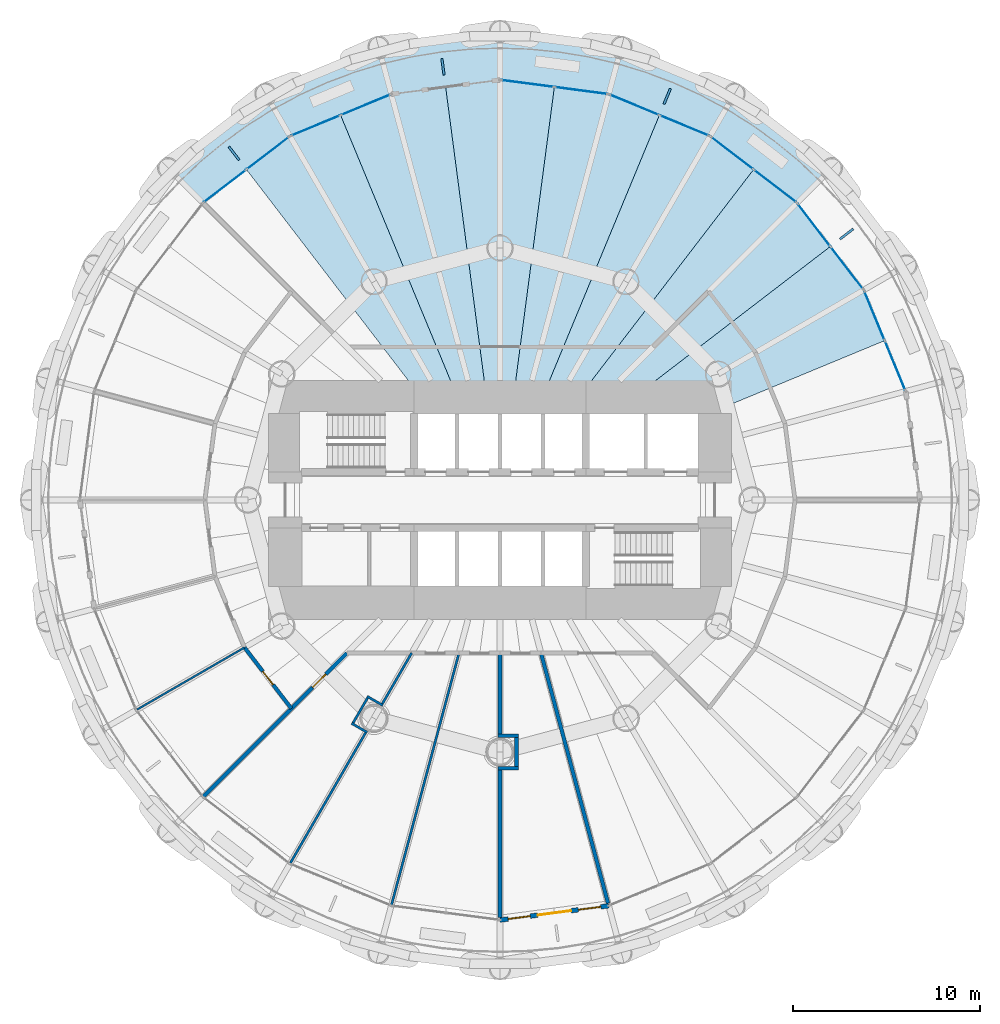
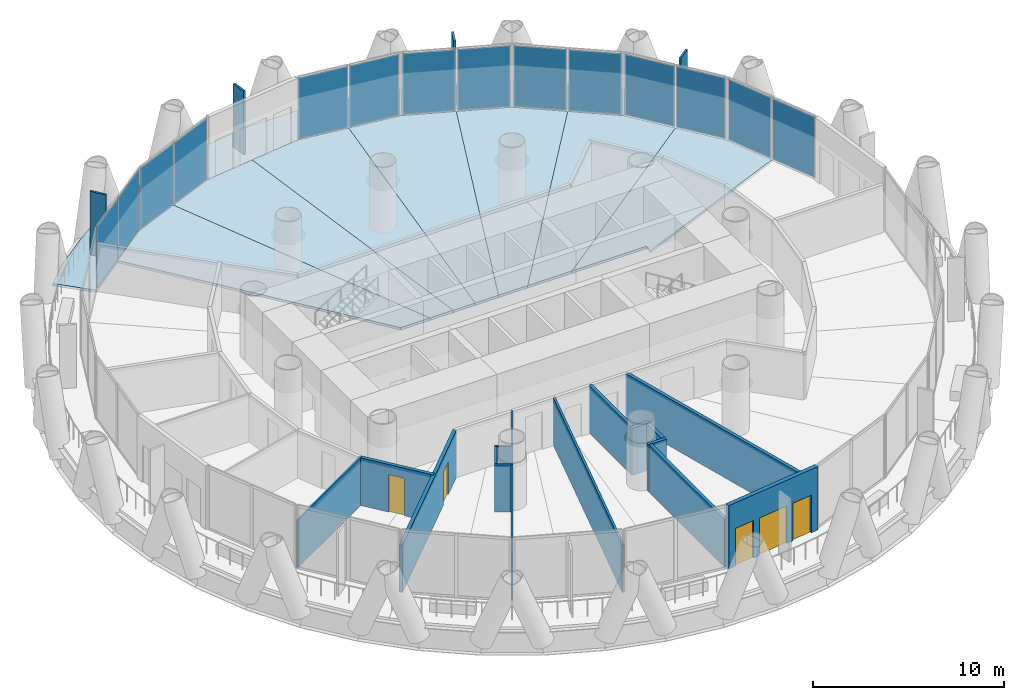
# One storey, part 9 of 16: 18 plates, 16 walls, 8 slabs, 3 doors, 2 windows, 5 openings, 7 elements without a shape of their own.
"""IFC4 building model written with IfcOpenShell, lengths in metres."""

from ifc_helpers import new_model, si_unit, direction, frame, frame_2d, origin, origin_2d, place, context, subcontext, project, spatial, polyline, rectangle, outline, extrude, material, layer, layer_set, type_object, element, fill, aggregate, save


model = new_model("IFC4")

# Units and contexts
model_context = context("Model", 3, precision=1e-05, world=origin(), true_north=direction((0.0, 1.0)))
body_context = subcontext(model_context, "Body", "Model", "MODEL_VIEW")
ifc_project = project(units=[si_unit("LENGTHUNIT", "METRE"), si_unit("AREAUNIT", "SQUARE_METRE"), si_unit("VOLUMEUNIT", "CUBIC_METRE"), si_unit("PLANEANGLEUNIT", "RADIAN"), si_unit("MASSUNIT", "GRAM", prefix="KILO")], contexts=[model_context])

# Site, building, storey
site_placement = place(None, origin())
site = spatial("IfcSite", under=ifc_project, at=site_placement, CompositionType="ELEMENT")
building_placement = place(site_placement, origin())
building = spatial("IfcBuilding", under=site, at=building_placement, Name="Qaws Media Tower", CompositionType="ELEMENT")
storey_placement = place(building_placement, frame((0.0, 0.0, 55.39990234375)))
storey = spatial("IfcBuildingStorey", under=building, at=storey_placement, Name="L11", CompositionType="ELEMENT", Elevation=55.39990234375)

# Slabs
ifc_material_1 = material(Name="Concrete C35/45", Category="concrete")
ifc_layer_1 = layer(ifc_material_1, 0.159912109375)
ifc_layer_set_1 = layer_set([ifc_layer_1], Name="Composite balcony slab 160")
slab_type_1 = type_object("IfcSlabType", Name="Composite balcony slab 160", PredefinedType="FLOOR", material=ifc_layer_set_1)
slab_1_placement = place(storey_placement, frame((0.0, 0.0, -0.159912109375)))
element("IfcSlab", 1, at=slab_1_placement, inside=storey, type_object=slab_type_1, Name="S2 balcony slab L11 R04 to R10, movement joints on R04 and R10", PredefinedType="FLOOR", context=body_context, shape_type="SweptSolid", body=[
    extrude(outline(polyline([(43.582275390625, 68.720703125), (46.166259765625, 70.70361328125), (48.987060546875, 72.33203125), (51.99609375, 73.57861328125), (55.142333984375, 74.421630859375), (58.37158203125, 74.8466796875), (61.62841796875, 74.8466796875), (64.857666015625, 74.421630859375), (68.00390625, 73.57861328125), (71.012939453125, 72.33203125), (73.833740234375, 70.70361328125), (76.417724609375, 68.720703125), (77.5693359375, 67.5693359375), (75.909912109375, 65.909912109375), (71.25, 69.485595703125), (65.823486328125, 71.7333984375), (60.0, 72.5), (54.176513671875, 71.7333984375), (48.75, 69.485595703125), (44.090087890625, 65.909912109375), (42.4306640625, 67.5693359375), (43.582275390625, 68.720703125)])), origin(), (0.0, 0.0, 1.0), 0.159912109375),
])
ifc_material_2 = material(Name="Concrete C35/45", Category="concrete")
ifc_layer_2 = layer(ifc_material_2, 0.159912109375)
ifc_layer_set_2 = layer_set([ifc_layer_2], Name="Composite floor slab 160")
slab_type_2 = type_object("IfcSlabType", Name="Composite floor slab 160", PredefinedType="FLOOR", material=ifc_layer_set_2)
slab_2_placement = place(storey_placement, frame((0.0, 0.0, -0.159912109375)))
element("IfcSlab", 2, at=slab_2_placement, inside=storey, type_object=slab_type_2, Name="S1 floor panel L11 on R03", PredefinedType="FLOOR", context=body_context, shape_type="SweptSolid", body=[
    extrude(outline(polyline([(79.485595703125, 61.25), (80.609619140625, 58.53662109375), (71.0, 54.556396484375), (71.0, 55.0), (66.51611328125, 55.0), (77.69775390625, 63.580078125), (79.485595703125, 61.25)])), origin(), (0.0, 0.0, 1.0), 0.159912109375),
])
slab_3_placement = place(storey_placement, frame((0.0, 0.0, -0.159912109375)))
element("IfcSlab", 3, at=slab_3_placement, inside=storey, type_object=slab_type_2, Name="S1 floor panel L11 on R04", PredefinedType="FLOOR", context=body_context, shape_type="SweptSolid", body=[
    extrude(outline(polyline([(75.909912109375, 65.909912109375), (77.69775390625, 63.580078125), (66.51611328125, 55.0), (63.836669921875, 55.0), (73.580078125, 67.69775390625), (75.909912109375, 65.909912109375)])), origin(), (0.0, 0.0, 1.0), 0.159912109375),
])
slab_4_placement = place(storey_placement, frame((0.0, 0.0, -0.159912109375)))
element("IfcSlab", 4, at=slab_4_placement, inside=storey, type_object=slab_type_2, Name="S1 floor panel L11 on R05", PredefinedType="FLOOR", context=body_context, shape_type="SweptSolid", body=[
    extrude(outline(polyline([(71.25, 69.485595703125), (73.580078125, 67.69775390625), (63.836669921875, 55.0), (62.071044921875, 55.0), (68.53662109375, 70.609619140625), (71.25, 69.485595703125)])), origin(), (0.0, 0.0, 1.0), 0.159912109375),
])
slab_5_placement = place(storey_placement, frame((0.0, 0.0, -0.159912109375)))
element("IfcSlab", 5, at=slab_5_placement, inside=storey, type_object=slab_type_2, Name="S1 floor panel L11 on R06", PredefinedType="FLOOR", context=body_context, shape_type="SweptSolid", body=[
    extrude(outline(polyline([(65.823486328125, 71.7333984375), (68.53662109375, 70.609619140625), (62.071044921875, 55.0), (60.658203125, 55.0), (62.91162109375, 72.11669921875), (65.823486328125, 71.7333984375)])), origin(), (0.0, 0.0, 1.0), 0.159912109375),
])
slab_6_placement = place(storey_placement, frame((0.0, 0.0, -0.159912109375)))
element("IfcSlab", 6, at=slab_6_placement, inside=storey, type_object=slab_type_2, Name="S1 floor panel L11 on R07", PredefinedType="FLOOR", context=body_context, shape_type="SweptSolid", body=[
    extrude(outline(polyline([(60.0, 72.5), (62.91162109375, 72.11669921875), (60.658203125, 55.0), (59.341796875, 55.0), (57.08837890625, 72.11669921875), (60.0, 72.5)])), origin(), (0.0, 0.0, 1.0), 0.159912109375),
])
slab_7_placement = place(storey_placement, frame((0.0, 0.0, -0.159912109375)))
element("IfcSlab", 7, at=slab_7_placement, inside=storey, type_object=slab_type_2, Name="S1 floor panel L11 on R08", PredefinedType="FLOOR", context=body_context, shape_type="SweptSolid", body=[
    extrude(outline(polyline([(54.176513671875, 71.7333984375), (57.08837890625, 72.11669921875), (59.341796875, 55.0), (57.928955078125, 55.0), (51.46337890625, 70.609619140625), (54.176513671875, 71.7333984375)])), origin(), (0.0, 0.0, 1.0), 0.159912109375),
])
slab_8_placement = place(storey_placement, frame((0.0, 0.0, -0.159912109375)))
element("IfcSlab", 8, at=slab_8_placement, inside=storey, type_object=slab_type_2, Name="S1 floor panel L11 on R09", PredefinedType="FLOOR", context=body_context, shape_type="SweptSolid", body=[
    extrude(outline(polyline([(48.75, 69.485595703125), (51.46337890625, 70.609619140625), (57.928955078125, 55.0), (56.163330078125, 55.0), (46.419921875, 67.69775390625), (48.75, 69.485595703125)])), origin(), (0.0, 0.0, 1.0), 0.159912109375),
])

# Curtain wall, plates
ifc_material_3 = material(Name="Aluminium and clear glass", Category="aluminium")
curtain_wall_type = type_object("IfcCurtainWallType", Name="Unitised curtain wall CW-A", PredefinedType="NOTDEFINED", material=ifc_material_3)
curtain_wall_1_placement = place(storey_placement, origin())
curtain_wall_1 = element("IfcCurtainWall", 9, at=curtain_wall_1_placement, inside=storey, type_object=curtain_wall_type, Name="CWA curtain wall L11-02", PredefinedType="NOTDEFINED")
ifc_material_4 = material(Name="Clear laminated double glazing", Category="glass")
ifc_layer_3 = layer(ifc_material_4, 0.031982421875)
ifc_layer_set_3 = layer_set([ifc_layer_3], Name="Curtain wall glass unit 32")
plate_type_1 = type_object("IfcPlateType", Name="Curtain wall glass unit 32", PredefinedType="CURTAIN_PANEL", material=ifc_layer_set_3)
plate_1_placement = place(storey_placement, frame((81.163818359375, 57.198486328125, 0.080078125), z_axis=(0.0, 0.0, 1.0), x_axis=(-0.38268338799, 0.923879550892, 0.0)))
plate_1 = element("IfcPlate", 10, at=plate_1_placement, type_object=plate_type_1, Name="CWA panel 1.1", PredefinedType="CURTAIN_PANEL", context=body_context, shape_type="SweptSolid", body=[
    extrude(rectangle(XDim=2.81689453125, YDim=0.031982421875, at=origin_2d()), origin(), (0.0, 0.0, 1.0), 3.8798828125),
])
plate_2_placement = place(storey_placement, frame((80.05517578125, 59.875, 0.080078125), z_axis=(0.0, 0.0, 1.0), x_axis=(-0.38268338799, 0.923879550892, 0.0)))
plate_2 = element("IfcPlate", 11, at=plate_2_placement, type_object=plate_type_1, Name="CWA panel 2.1", PredefinedType="CURTAIN_PANEL", context=body_context, shape_type="SweptSolid", body=[
    extrude(rectangle(XDim=2.81689453125, YDim=0.031982421875, at=origin_2d()), origin(), (0.0, 0.0, 1.0), 3.8798828125),
])
aggregate(curtain_wall_1, [plate_1, plate_2])

curtain_wall_2_placement = place(storey_placement, origin())
curtain_wall_2 = element("IfcCurtainWall", 12, at=curtain_wall_2_placement, inside=storey, type_object=curtain_wall_type, Name="CWA curtain wall L11-03", PredefinedType="NOTDEFINED")
plate_3_placement = place(storey_placement, frame((78.57958984375, 62.430908203125, 0.080078125), z_axis=(0.0, 0.0, 1.0), x_axis=(-0.608761393298, 0.793353367693, 0.0)))
plate_3 = element("IfcPlate", 13, at=plate_3_placement, type_object=plate_type_1, Name="CWA panel 1.1", PredefinedType="CURTAIN_PANEL", context=body_context, shape_type="SweptSolid", body=[
    extrude(rectangle(XDim=2.81689453125, YDim=0.031982421875, at=origin_2d()), origin(), (0.0, 0.0, 1.0), 3.8798828125),
])
plate_4_placement = place(storey_placement, frame((76.81591796875, 64.72900390625, 0.080078125), z_axis=(0.0, 0.0, 1.0), x_axis=(-0.608761393298, 0.793353367693, 0.0)))
plate_4 = element("IfcPlate", 14, at=plate_4_placement, type_object=plate_type_1, Name="CWA panel 2.1", PredefinedType="CURTAIN_PANEL", context=body_context, shape_type="SweptSolid", body=[
    extrude(rectangle(XDim=2.81689453125, YDim=0.031982421875, at=origin_2d()), origin(), (0.0, 0.0, 1.0), 3.8798828125),
])
aggregate(curtain_wall_2, [plate_3, plate_4])

curtain_wall_3_placement = place(storey_placement, origin())
curtain_wall_3 = element("IfcCurtainWall", 15, at=curtain_wall_3_placement, inside=storey, type_object=curtain_wall_type, Name="CWA curtain wall L11-04", PredefinedType="NOTDEFINED")
plate_5_placement = place(storey_placement, frame((74.72900390625, 66.81591796875, 0.080078125), z_axis=(0.0, 0.0, 1.0), x_axis=(-0.793353367693, 0.608761393298, 0.0)))
plate_5 = element("IfcPlate", 16, at=plate_5_placement, type_object=plate_type_1, Name="CWA panel 1.1", PredefinedType="CURTAIN_PANEL", context=body_context, shape_type="SweptSolid", body=[
    extrude(rectangle(XDim=2.81689453125, YDim=0.031982421875, at=origin_2d()), origin(), (0.0, 0.0, 1.0), 3.8798828125),
])
plate_6_placement = place(storey_placement, frame((72.430908203125, 68.57958984375, 0.080078125), z_axis=(0.0, 0.0, 1.0), x_axis=(-0.793353367693, 0.608761393298, 0.0)))
plate_6 = element("IfcPlate", 17, at=plate_6_placement, type_object=plate_type_1, Name="CWA panel 2.1", PredefinedType="CURTAIN_PANEL", context=body_context, shape_type="SweptSolid", body=[
    extrude(rectangle(XDim=2.81689453125, YDim=0.031982421875, at=origin_2d()), origin(), (0.0, 0.0, 1.0), 3.8798828125),
])
aggregate(curtain_wall_3, [plate_5, plate_6])

curtain_wall_4_placement = place(storey_placement, origin())
curtain_wall_4 = element("IfcCurtainWall", 18, at=curtain_wall_4_placement, inside=storey, type_object=curtain_wall_type, Name="CWA curtain wall L11-05", PredefinedType="NOTDEFINED")
plate_7_placement = place(storey_placement, frame((69.875, 70.05517578125, 0.080078125), z_axis=(0.0, 0.0, 1.0), x_axis=(-0.923879550892, 0.38268338799, 0.0)))
plate_7 = element("IfcPlate", 19, at=plate_7_placement, type_object=plate_type_1, Name="CWA panel 1.1", PredefinedType="CURTAIN_PANEL", context=body_context, shape_type="SweptSolid", body=[
    extrude(rectangle(XDim=2.81689453125, YDim=0.031982421875, at=origin_2d()), origin(), (0.0, 0.0, 1.0), 3.8798828125),
])
plate_8_placement = place(storey_placement, frame((67.198486328125, 71.163818359375, 0.080078125), z_axis=(0.0, 0.0, 1.0), x_axis=(-0.923879550892, 0.38268338799, 0.0)))
plate_8 = element("IfcPlate", 20, at=plate_8_placement, type_object=plate_type_1, Name="CWA panel 2.1", PredefinedType="CURTAIN_PANEL", context=body_context, shape_type="SweptSolid", body=[
    extrude(rectangle(XDim=2.81689453125, YDim=0.031982421875, at=origin_2d()), origin(), (0.0, 0.0, 1.0), 3.8798828125),
])
aggregate(curtain_wall_4, [plate_7, plate_8])

curtain_wall_5_placement = place(storey_placement, origin())
curtain_wall_5 = element("IfcCurtainWall", 21, at=curtain_wall_5_placement, inside=storey, type_object=curtain_wall_type, Name="CWA curtain wall L11-06", PredefinedType="NOTDEFINED")
plate_9_placement = place(storey_placement, frame((64.34765625, 71.927490234375, 0.080078125), z_axis=(0.0, 0.0, 1.0), x_axis=(-0.991444860766, 0.13052619684, 0.0)))
plate_9 = element("IfcPlate", 22, at=plate_9_placement, type_object=plate_type_1, Name="CWA panel 1.1", PredefinedType="CURTAIN_PANEL", context=body_context, shape_type="SweptSolid", body=[
    extrude(rectangle(XDim=2.81689453125, YDim=0.031982421875, at=origin_2d()), origin(), (0.0, 0.0, 1.0), 3.8798828125),
])
plate_10_placement = place(storey_placement, frame((61.4755859375, 72.3056640625, 0.080078125), z_axis=(0.0, 0.0, 1.0), x_axis=(-0.991444860766, 0.13052619684, 0.0)))
plate_10 = element("IfcPlate", 23, at=plate_10_placement, type_object=plate_type_1, Name="CWA panel 2.1", PredefinedType="CURTAIN_PANEL", context=body_context, shape_type="SweptSolid", body=[
    extrude(rectangle(XDim=2.81689453125, YDim=0.031982421875, at=origin_2d()), origin(), (0.0, 0.0, 1.0), 3.8798828125),
])
aggregate(curtain_wall_5, [plate_9, plate_10])

curtain_wall_6_placement = place(storey_placement, origin())
curtain_wall_6 = element("IfcCurtainWall", 24, at=curtain_wall_6_placement, inside=storey, type_object=curtain_wall_type, Name="CWA curtain wall L11-08", PredefinedType="NOTDEFINED")
plate_11_placement = place(storey_placement, frame((52.801513671875, 71.163818359375, 0.080078125), z_axis=(0.0, 0.0, 1.0), x_axis=(-0.923879550892, -0.38268338799, 0.0)))
plate_11 = element("IfcPlate", 25, at=plate_11_placement, type_object=plate_type_1, Name="CWA panel 1.1", PredefinedType="CURTAIN_PANEL", context=body_context, shape_type="SweptSolid", body=[
    extrude(rectangle(XDim=2.81689453125, YDim=0.031982421875, at=origin_2d()), origin(), (0.0, 0.0, 1.0), 3.8798828125),
])
plate_12_placement = place(storey_placement, frame((50.125, 70.05517578125, 0.080078125), z_axis=(0.0, 0.0, 1.0), x_axis=(-0.923879550892, -0.38268338799, 0.0)))
plate_12 = element("IfcPlate", 26, at=plate_12_placement, type_object=plate_type_1, Name="CWA panel 2.1", PredefinedType="CURTAIN_PANEL", context=body_context, shape_type="SweptSolid", body=[
    extrude(rectangle(XDim=2.81689453125, YDim=0.031982421875, at=origin_2d()), origin(), (0.0, 0.0, 1.0), 3.8798828125),
])
aggregate(curtain_wall_6, [plate_11, plate_12])

curtain_wall_7_placement = place(storey_placement, origin())
curtain_wall_7 = element("IfcCurtainWall", 27, at=curtain_wall_7_placement, inside=storey, type_object=curtain_wall_type, Name="CWA curtain wall L11-09", PredefinedType="NOTDEFINED")
plate_13_placement = place(storey_placement, frame((47.569091796875, 68.57958984375, 0.080078125), z_axis=(0.0, 0.0, 1.0), x_axis=(-0.793353367693, -0.608761393298, 0.0)))
plate_13 = element("IfcPlate", 28, at=plate_13_placement, type_object=plate_type_1, Name="CWA panel 1.1", PredefinedType="CURTAIN_PANEL", context=body_context, shape_type="SweptSolid", body=[
    extrude(rectangle(XDim=2.81689453125, YDim=0.031982421875, at=origin_2d()), origin(), (0.0, 0.0, 1.0), 3.8798828125),
])
plate_14_placement = place(storey_placement, frame((45.27099609375, 66.81591796875, 0.080078125), z_axis=(0.0, 0.0, 1.0), x_axis=(-0.793353367693, -0.608761393298, 0.0)))
plate_14 = element("IfcPlate", 29, at=plate_14_placement, type_object=plate_type_1, Name="CWA panel 2.1", PredefinedType="CURTAIN_PANEL", context=body_context, shape_type="SweptSolid", body=[
    extrude(rectangle(XDim=2.81689453125, YDim=0.031982421875, at=origin_2d()), origin(), (0.0, 0.0, 1.0), 3.8798828125),
])
aggregate(curtain_wall_7, [plate_13, plate_14])

# Plates
ifc_material_5 = material(Name="Precast concrete screen fin", Category="concrete")
ifc_layer_4 = layer(ifc_material_5, 0.1201171875)
ifc_layer_set_4 = layer_set([ifc_layer_4], Name="Screen fin 120x900")
plate_type_2 = type_object("IfcPlateType", Name="Screen fin 120x900", PredefinedType="USERDEFINED", material=ifc_layer_set_4)
for number, where, z_axis, x_axis, name in (
    (30, (78.564453125, 64.2451171875, 0.0), (0.0, 0.0, 1.0), (0.793353340291, 0.608761429009, 0.0), "SCR1 screen fin L11-02"),
    (31, (68.954833984375, 71.618896484375, 0.0), (0.0, 0.0, 1.0), (0.382683432365, 0.923879532511, 0.0), "SCR1 screen fin L11-03"),
    (32, (56.94580078125, 73.19970703125, 0.0), (0.0, 0.0, 1.0), (-0.13052619222, 0.991444861374, 0.0), "SCR1 screen fin L11-04"),
    (33, (45.7548828125, 68.564453125, 0.0), (0.0, 0.0, 1.0), (-0.608761429009, 0.793353340291, 0.0), "SCR1 screen fin L11-05"),
):
    element("IfcPlate", number, at=place(storey_placement, frame(where, z_axis=z_axis, x_axis=x_axis)), inside=storey, type_object=plate_type_2, Name=name, ObjectType="SCREEN", PredefinedType="USERDEFINED", context=body_context, shape_type="SweptSolid", body=[
        extrude(rectangle(XDim=0.89990234375, YDim=0.1201171875, at=origin_2d()), origin(), (0.0, 0.0, 1.0), 4.0400390625),
    ])

# Wall, openings, door, windows
ifc_material_6 = material(Name="Precast concrete, exposed finish", Category="concrete")
ifc_layer_5 = layer(ifc_material_6, 0.25)
ifc_layer_set_5 = layer_set([ifc_layer_5], Name="Balcony door wall 250")
wall_type_1 = type_object("IfcWallType", Name="Balcony door wall 250", PredefinedType="SOLIDWALL", material=ifc_layer_set_5)
wall_1_placement = place(storey_placement, frame((60.0, 27.5, 0.0), z_axis=(0.0, 0.0, 1.0), x_axis=(0.991446512747, 0.13051364818, 0.0)))
wall_1 = element("IfcWall", 34, at=wall_1_placement, inside=storey, type_object=wall_type_1, Name="W134 EW1 balcony door wall L11-19", PredefinedType="SOLIDWALL", context=body_context, shape_type="SweptSolid", body=[
    extrude(rectangle(XDim=5.873779296875, YDim=0.25, at=frame_2d((2.93701171875, 0.0))), origin(), (0.0, 0.0, 1.0), 4.0400390625),
])
opening_1_placement = place(wall_1_placement, frame((2.036865234375, 0.0, 0.0)))
opening_1 = element("IfcOpeningElement", 35, at=opening_1_placement, cuts=wall_1, Name="Opening D7", PredefinedType="OPENING", context=body_context, shape_type="SweptSolid", body=[
    extrude(rectangle(XDim=1.800048828125, YDim=2.39990234375, at=frame_2d((0.89990234375, 1.199951171875))), frame((0.0, 0.135009765625, 0.0), z_axis=(0.0, -1.0, 0.0), x_axis=(1.0, 0.0, 0.0)), (0.0, 0.0, 1.0), 0.27001953125),
])
opening_2_placement = place(wall_1_placement, frame((0.436767578125, 0.0, 0.0)))
opening_2 = element("IfcOpeningElement", 36, at=opening_2_placement, cuts=wall_1, Name="Opening W1", PredefinedType="OPENING", context=body_context, shape_type="SweptSolid", body=[
    extrude(rectangle(XDim=1.199951171875, YDim=2.39990234375, at=frame_2d((0.60009765625, 1.199951171875))), frame((0.0, 0.135009765625, 0.0), z_axis=(0.0, -1.0, 0.0), x_axis=(1.0, 0.0, 0.0)), (0.0, 0.0, 1.0), 0.27001953125),
])
opening_3_placement = place(wall_1_placement, frame((4.23681640625, 0.0, 0.0)))
opening_3 = element("IfcOpeningElement", 37, at=opening_3_placement, cuts=wall_1, Name="Opening W1", PredefinedType="OPENING", context=body_context, shape_type="SweptSolid", body=[
    extrude(rectangle(XDim=1.199951171875, YDim=2.39990234375, at=frame_2d((0.60009765625, 1.199951171875))), frame((0.0, 0.135009765625, 0.0), z_axis=(0.0, -1.0, 0.0), x_axis=(1.0, 0.0, 0.0)), (0.0, 0.0, 1.0), 0.27001953125),
])
ifc_material_7 = material(Name="Aluminium and clear glass", Category="aluminium")
door_type_1 = type_object("IfcDoorType", Name="Balcony door pair 1800", OperationType="DOUBLE_DOOR_SLIDING", PredefinedType="DOOR", material=ifc_material_7)
door_1_placement = place(opening_1_placement, origin())
door_1 = element("IfcDoor", 38, at=door_1_placement, inside=storey, type_object=door_type_1, Name="D7 balcony door L11-19 in wall W134", OperationType="DOUBLE_DOOR_SLIDING", OverallHeight=2.39990234375, OverallWidth=1.800048828125, PredefinedType="DOOR", context=body_context, shape_type="SweptSolid", body=[
    extrude(rectangle(XDim=1.800048828125, YDim=2.39990234375, at=frame_2d((0.89990234375, 1.199951171875))), frame((0.0, 0.02490234375, 0.0), z_axis=(0.0, -1.0, 0.0), x_axis=(1.0, 0.0, 0.0)), (0.0, 0.0, 1.0), 0.050048828125),
])
fill(opening_1, door_1)
ifc_material_8 = material(Name="Aluminium and clear glass", Category="aluminium")
window_type = type_object("IfcWindowType", Name="Balcony side window 1200", PartitioningType="SINGLE_PANEL", PredefinedType="WINDOW", material=ifc_material_8)
window_1_placement = place(opening_2_placement, origin())
window_1 = element("IfcWindow", 39, at=window_1_placement, inside=storey, type_object=window_type, Name="W1 balcony side light L11-19L", OverallHeight=2.39990234375, OverallWidth=1.199951171875, PartitioningType="SINGLE_PANEL", PredefinedType="WINDOW", context=body_context, shape_type="SweptSolid", body=[
    extrude(rectangle(XDim=1.199951171875, YDim=2.39990234375, at=frame_2d((0.60009765625, 1.199951171875))), frame((0.0, 0.030029296875, 0.0), z_axis=(0.0, -1.0, 0.0), x_axis=(1.0, 0.0, 0.0)), (0.0, 0.0, 1.0), 0.06005859375),
])
fill(opening_2, window_1)
window_2_placement = place(opening_3_placement, origin())
window_2 = element("IfcWindow", 40, at=window_2_placement, inside=storey, type_object=window_type, Name="W1 balcony side light L11-19R", OverallHeight=2.39990234375, OverallWidth=1.199951171875, PartitioningType="SINGLE_PANEL", PredefinedType="WINDOW", context=body_context, shape_type="SweptSolid", body=[
    extrude(rectangle(XDim=1.199951171875, YDim=2.39990234375, at=frame_2d((0.60009765625, 1.199951171875))), frame((0.0, 0.030029296875, 0.0), z_axis=(0.0, -1.0, 0.0), x_axis=(1.0, 0.0, 0.0)), (0.0, 0.0, 1.0), 0.06005859375),
])
fill(opening_3, window_2)

# Walls
ifc_material_9 = material(Name="Two layers gypsum board each side on 75 studs, insulated", Category="gypsum")
ifc_layer_6 = layer(ifc_material_9, 0.125)
ifc_layer_set_6 = layer_set([ifc_layer_6], Name="Meeting room partition 125 Rw 48")
wall_type_2 = type_object("IfcWallType", Name="Meeting room partition 125 Rw 48", PredefinedType="PARTITIONING", material=ifc_layer_set_6)
for number, where, z_axis, x_axis, name in (
    (41, (53.720947265625, 38.999267578125, 0.0), (0.0, 0.0, 1.0), (-0.866110039299, 0.499853378327, 0.0), "W517 IW5 partition return L11"),
    (42, (52.887451171875, 37.5556640625, 0.0), (0.0, 0.0, 1.0), (-0.866110039299, 0.499853378327, 0.0), "W515 IW5 partition return L11"),
):
    element("IfcWall", number, at=place(storey_placement, frame(where, z_axis=z_axis, x_axis=x_axis)), inside=storey, type_object=wall_type_2, Name=name, PredefinedType="PARTITIONING", context=body_context, shape_type="SweptSolid", body=[
        extrude(rectangle(XDim=0.968505859375, YDim=0.125, at=frame_2d((0.484375, 0.0))), origin(), (0.0, 0.0, 1.0), 3.02001953125),
    ])
wall_2_placement = place(storey_placement, frame((52.905029296875, 39.398193359375, 0.0), z_axis=(0.0, 0.0, 1.0), x_axis=(-0.499987416453, -0.866032668777, 0.0)))
element("IfcWall", 43, at=wall_2_placement, inside=storey, type_object=wall_type_2, Name="W516 IW5 partition return L11", PredefinedType="PARTITIONING", context=body_context, shape_type="SweptSolid", body=[
    extrude(rectangle(XDim=1.5419921875, YDim=0.125, at=frame_2d((0.77099609375, 0.0))), origin(), (0.0, 0.0, 1.0), 3.02001953125),
])
wall_3_placement = place(storey_placement, frame((55.27001953125, 41.807373046875, 0.0), z_axis=(0.0, 0.0, 1.0), x_axis=(-0.500022702249, -0.866012296238, 0.0)))
element("IfcWall", 44, at=wall_3_placement, inside=storey, type_object=wall_type_2, Name="W518 IW5 partition L11", PredefinedType="PARTITIONING", context=body_context, shape_type="SweptSolid", body=[
    extrude(rectangle(XDim=3.143798828125, YDim=0.125, at=frame_2d((1.57177734375, 0.0))), origin(), (0.0, 0.0, 1.0), 3.0400390625),
])
wall_4_placement = place(storey_placement, frame((52.802001953125, 37.53271484375, 0.0), z_axis=(0.0, 0.0, 1.0), x_axis=(-0.499997628298, -0.866026773083, 0.0)))
element("IfcWall", 45, at=wall_4_placement, inside=storey, type_object=wall_type_2, Name="W514 IW5 partition L11", PredefinedType="PARTITIONING", context=body_context, shape_type="SweptSolid", body=[
    extrude(rectangle(XDim=8.06396484375, YDim=0.125, at=frame_2d((4.031982421875, 0.0))), origin(), (0.0, 0.0, 1.0), 3.0400390625),
])
wall_5_placement = place(storey_placement, frame((57.80517578125, 41.808837890625, 0.0), z_axis=(0.0, 0.0, 1.0), x_axis=(-0.25881464843, -0.965927004363, 0.0)))
element("IfcWall", 46, at=wall_5_placement, inside=storey, type_object=wall_type_2, Name="W519 IW5 partition L11", PredefinedType="PARTITIONING", context=body_context, shape_type="SweptSolid", body=[
    extrude(rectangle(XDim=13.979736328125, YDim=0.125, at=frame_2d((6.98974609375, 0.0))), origin(), (0.0, 0.0, 1.0), 3.02001953125),
])
ifc_material_10 = material(Name="Gypsum board on 70 metal studs, single layer each side", Category="gypsum")
ifc_layer_7 = layer(ifc_material_10, 0.10009765625)
ifc_layer_set_7 = layer_set([ifc_layer_7], Name="Office stud partition 100")
wall_type_3 = type_object("IfcWallType", Name="Office stud partition 100", PredefinedType="PARTITIONING", material=ifc_layer_set_7)
wall_6_placement = place(storey_placement, frame((46.31689453125, 42.10009765625, 0.0), z_axis=(0.0, 0.0, 1.0), x_axis=(-0.866023818221, -0.500002746266, 0.0)))
element("IfcWall", 47, at=wall_6_placement, inside=storey, type_object=wall_type_3, Name="W639 IW4 partition L11", PredefinedType="PARTITIONING", context=body_context, shape_type="SweptSolid", body=[
    extrude(rectangle(XDim=6.66015625, YDim=0.10009765625, at=frame_2d((3.330078125, 0.0))), origin(), (0.0, 0.0, 1.0), 3.0400390625),
])

# Wall, opening, door
ifc_material_11 = material(Name="Gypsum board on galvanised metal studs, acoustic double stud, deflection head", Category="gypsum")
ifc_layer_8 = layer(ifc_material_11, 0.199951171875)
ifc_layer_set_8 = layer_set([ifc_layer_8], Name="Room partition 200")
wall_type_4 = type_object("IfcWallType", Name="Room partition 200", PredefinedType="PARTITIONING", material=ifc_layer_set_8)
wall_7_placement = place(storey_placement, frame((48.82763671875, 38.82763671875, 0.0), z_axis=(0.0, 0.0, 1.0), x_axis=(-0.608714823874, 0.793389099494, 0.0)))
wall_7 = element("IfcWall", 48, at=wall_7_placement, inside=storey, type_object=wall_type_4, Name="W948 IW3 partition L11", PredefinedType="PARTITIONING", context=body_context, shape_type="SweptSolid", body=[
    extrude(rectangle(XDim=4.124755859375, YDim=0.199951171875, at=frame_2d((2.0625, 0.0))), origin(), (0.0, 0.0, 1.0), 3.0400390625),
])
opening_4_placement = place(wall_7_placement, frame((1.6123046875, 0.0, 0.0)))
opening_4 = element("IfcOpeningElement", 49, at=opening_4_placement, cuts=wall_7, Name="Opening D12", PredefinedType="OPENING", context=body_context, shape_type="SweptSolid", body=[
    extrude(rectangle(XDim=0.89990234375, YDim=2.39990234375, at=frame_2d((0.449951171875, 1.199951171875))), frame((0.0, 0.10986328125, 0.0), z_axis=(0.0, -1.0, 0.0), x_axis=(1.0, 0.0, 0.0)), (0.0, 0.0, 1.0), 0.219970703125),
])
ifc_material_12 = material(Name="Timber veneered, full height", Category="wood")
door_type_2 = type_object("IfcDoorType", Name="Office door 900x2400", OperationType="SINGLE_SWING_LEFT", PredefinedType="DOOR", material=ifc_material_12)
door_2_placement = place(opening_4_placement, origin())
door_2 = element("IfcDoor", 50, at=door_2_placement, inside=storey, type_object=door_type_2, Name="D12 Editor's office door L11 in wall W948", OperationType="SINGLE_SWING_LEFT", OverallHeight=2.39990234375, OverallWidth=0.89990234375, PredefinedType="DOOR", context=body_context, shape_type="SweptSolid", body=[
    extrude(rectangle(XDim=0.89990234375, YDim=2.39990234375, at=frame_2d((0.449951171875, 1.199951171875))), frame((0.0, 0.02490234375, 0.0), z_axis=(0.0, -1.0, 0.0), x_axis=(1.0, 0.0, 0.0)), (0.0, 0.0, 1.0), 0.050048828125),
])
fill(opening_4, door_2)

wall_8_placement = place(storey_placement, frame((51.800048828125, 41.800048828125, 0.0), z_axis=(0.0, 0.0, 1.0), x_axis=(-0.707106781187, -0.707106781187, 0.0)))
wall_8 = element("IfcWall", 51, at=wall_8_placement, inside=storey, type_object=wall_type_4, Name="W1042 IW3 partition L11", PredefinedType="PARTITIONING", context=body_context, shape_type="SweptSolid", body=[
    extrude(rectangle(XDim=10.863525390625, YDim=0.199951171875, at=frame_2d((5.431640625, 0.0))), origin(), (0.0, 0.0, 1.0), 3.02001953125),
])
opening_5_placement = place(wall_8_placement, frame((1.601806640625, 0.0, 0.0)))
opening_5 = element("IfcOpeningElement", 52, at=opening_5_placement, cuts=wall_8, Name="Opening D5", PredefinedType="OPENING", context=body_context, shape_type="SweptSolid", body=[
    extrude(rectangle(XDim=1.0, YDim=2.10009765625, at=frame_2d((0.5, 1.050048828125))), frame((0.0, 0.10986328125, 0.0), z_axis=(0.0, -1.0, 0.0), x_axis=(1.0, 0.0, 0.0)), (0.0, 0.0, 1.0), 0.219970703125),
])
ifc_material_13 = material(Name="Timber veneered, acoustic seal", Category="wood")
door_type_3 = type_object("IfcDoorType", Name="Room door 1000", OperationType="SINGLE_SWING_LEFT", PredefinedType="DOOR", material=ifc_material_13)
door_3_placement = place(opening_5_placement, origin())
door_3 = element("IfcDoor", 53, at=door_3_placement, inside=storey, type_object=door_type_3, Name="D5 Editors' meeting room door L11 in wall W1042", OperationType="SINGLE_SWING_LEFT", OverallHeight=2.10009765625, OverallWidth=1.0, PredefinedType="DOOR", context=body_context, shape_type="SweptSolid", body=[
    extrude(rectangle(XDim=1.0, YDim=2.10009765625, at=frame_2d((0.5, 1.050048828125))), frame((0.0, 0.02490234375, 0.0), z_axis=(0.0, -1.0, 0.0), x_axis=(1.0, 0.0, 0.0)), (0.0, 0.0, 1.0), 0.050048828125),
])
fill(opening_5, door_3)

# Walls
for number, where, z_axis, x_axis, name in (
    (54, (59.89990234375, 37.37109375, 0.0), (0.0, 0.0, 1.0), (1.0, 0.0, 0.0), "W1046 IW3 partition return L11"),
    (55, (59.89990234375, 35.62890625, 0.0), (0.0, 0.0, 1.0), (1.0, 0.0, 0.0), "W1045 IW3 partition return L11"),
):
    element("IfcWall", number, at=place(storey_placement, frame(where, z_axis=z_axis, x_axis=x_axis)), inside=storey, type_object=wall_type_4, Name=name, PredefinedType="PARTITIONING", context=body_context, shape_type="SweptSolid", body=[
        extrude(rectangle(XDim=1.0810546875, YDim=0.199951171875, at=frame_2d((0.54052734375, 0.0))), origin(), (0.0, 0.0, 1.0), 3.02001953125),
    ])
wall_9_placement = place(storey_placement, frame((60.881103515625, 37.27099609375, 0.0), z_axis=(0.0, 0.0, 1.0), x_axis=(0.0, -1.0, 0.0)))
element("IfcWall", 56, at=wall_9_placement, inside=storey, type_object=wall_type_4, Name="W1049 IW3 partition return L11", PredefinedType="PARTITIONING", context=body_context, shape_type="SweptSolid", body=[
    extrude(rectangle(XDim=1.5419921875, YDim=0.199951171875, at=frame_2d((0.77099609375, 0.0))), origin(), (0.0, 0.0, 1.0), 3.02001953125),
])
wall_10_placement = place(storey_placement, frame((60.0, 41.800048828125, 0.0), z_axis=(0.0, 0.0, 1.0), x_axis=(0.0, -1.0, 0.0)))
element("IfcWall", 57, at=wall_10_placement, inside=storey, type_object=wall_type_4, Name="W1048 IW3 partition L11", PredefinedType="PARTITIONING", context=body_context, shape_type="SweptSolid", body=[
    extrude(rectangle(XDim=4.3291015625, YDim=0.199951171875, at=frame_2d((2.16455078125, 0.0))), origin(), (0.0, 0.0, 1.0), 3.0400390625),
])
wall_11_placement = place(storey_placement, frame((60.0, 35.529052734375, 0.0), z_axis=(0.0, 0.0, 1.0), x_axis=(0.0, -1.0, 0.0)))
element("IfcWall", 58, at=wall_11_placement, inside=storey, type_object=wall_type_4, Name="W1047 IW3 partition L11", PredefinedType="PARTITIONING", context=body_context, shape_type="SweptSolid", body=[
    extrude(rectangle(XDim=7.88916015625, YDim=0.199951171875, at=frame_2d((3.944580078125, 0.0))), origin(), (0.0, 0.0, 1.0), 3.0400390625),
])
wall_12_placement = place(storey_placement, frame((62.19482421875, 41.808837890625, 0.0), z_axis=(0.0, 0.0, 1.0), x_axis=(0.258811989868, -0.965927716706, 0.0)))
element("IfcWall", 59, at=wall_12_placement, inside=storey, type_object=wall_type_4, Name="W1050 IW3 partition L11", PredefinedType="PARTITIONING", context=body_context, shape_type="SweptSolid", body=[
    extrude(rectangle(XDim=13.8798828125, YDim=0.199951171875, at=frame_2d((6.93994140625, 0.0))), origin(), (0.0, 0.0, 1.0), 3.02001953125),
])

save(model, "model.ifc")
